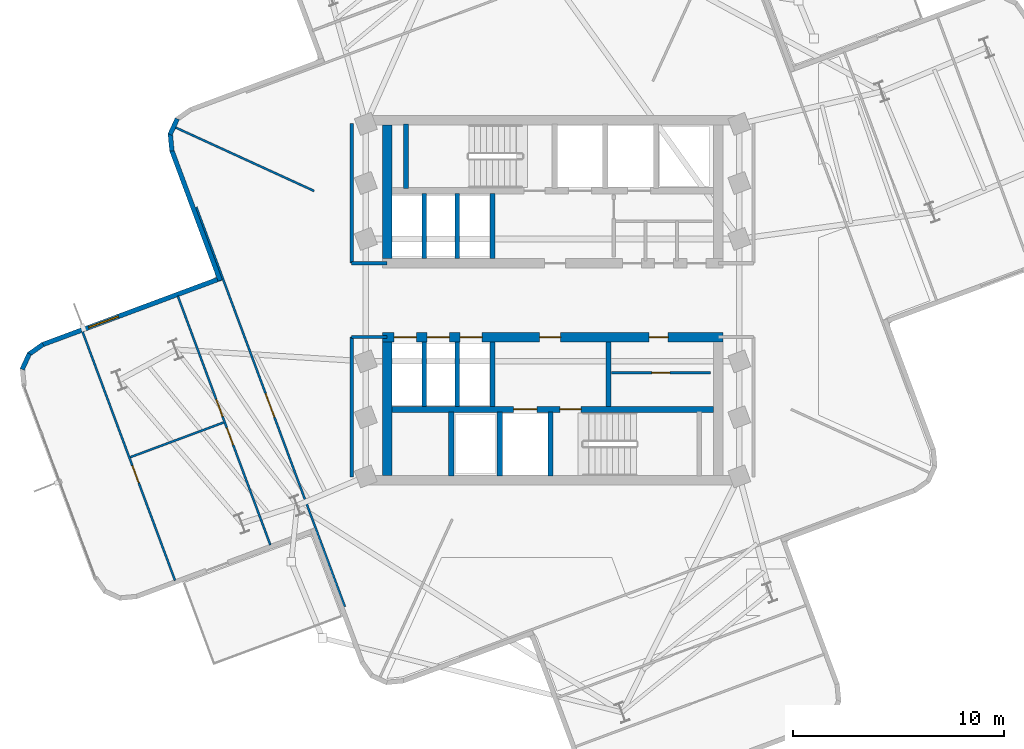
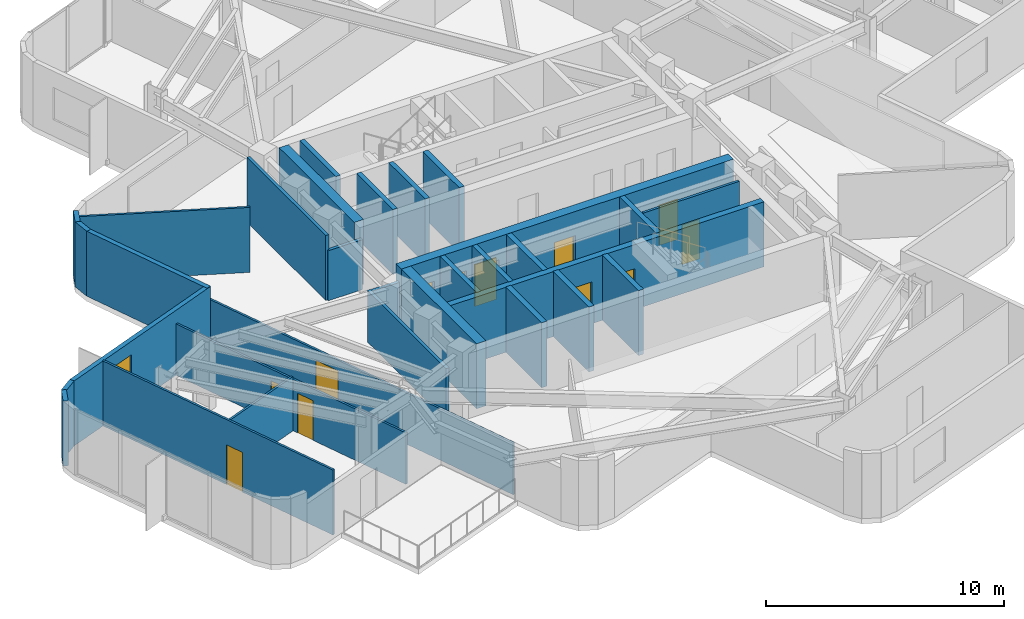
# One storey, part 6 of 11: 31 walls, 12 doors, 1 window, 13 openings.
"""IFC4 building model written with IfcOpenShell, lengths in metres."""

from ifc_helpers import new_model, si_unit, direction, frame, frame_2d, origin, place, context, subcontext, project, spatial, rectangle, extrude, material, layer, layer_set, type_object, element, fill, save


model = new_model("IFC4")

# Units and contexts
model_context = context("Model", 3, precision=1e-05, world=origin(), true_north=direction((0.0, 1.0)))
body_context = subcontext(model_context, "Body", "Model", "MODEL_VIEW")
ifc_project = project(units=[si_unit("LENGTHUNIT", "METRE"), si_unit("AREAUNIT", "SQUARE_METRE"), si_unit("VOLUMEUNIT", "CUBIC_METRE"), si_unit("PLANEANGLEUNIT", "RADIAN"), si_unit("MASSUNIT", "GRAM", prefix="KILO")], contexts=[model_context])

# Site, building, storey
site_placement = place(None, origin())
site = spatial("IfcSite", under=ifc_project, at=site_placement, CompositionType="ELEMENT")
building_placement = place(site_placement, origin())
building = spatial("IfcBuilding", under=site, at=building_placement, Name="Solmarez Civic Tower", CompositionType="ELEMENT")
storey_placement = place(building_placement, frame((0.0, 0.0, 170.280029296875)))
storey = spatial("IfcBuildingStorey", under=building, at=storey_placement, Name="L45", CompositionType="ELEMENT", Elevation=170.280029296875)

# Wall
ifc_material_1 = material(Name="Concrete C50/60", Category="concrete")
ifc_layer_1 = layer(ifc_material_1, 0.449951171875)
ifc_layer_set_1 = layer_set([ifc_layer_1], Name="Concrete C50/60")
wall_type_1 = type_object("IfcWallType", Name="WALL-CORE-450", PredefinedType="SHEAR", material=ifc_layer_set_1)
wall_1_placement = place(storey_placement, frame((-7.844970703125, 1.97509765625, 0.0), z_axis=(0.0, 0.0, 1.0), x_axis=(0.0, 1.0, 0.0)))
element("IfcWall", 1, at=wall_1_placement, inside=storey, type_object=wall_type_1, Name="L45 Split-Core Structural Wall NCW-W-L45", PredefinedType="SHEAR", context=body_context, shape_type="SweptSolid", body=[
    extrude(rectangle(XDim=6.3349609375, YDim=0.449951171875, at=frame_2d((3.16748046875, 0.0))), origin(), (0.0, 0.0, 1.0), 3.340087890625),
])

# Wall, openings, doors
wall_2_placement = place(storey_placement, frame((-8.070068359375, -1.75, 0.0), z_axis=(0.0, 0.0, 1.0), x_axis=(1.0, 0.0, 0.0)))
wall_2 = element("IfcWall", 2, at=wall_2_placement, inside=storey, type_object=wall_type_1, Name="L45 Split-Core Structural Wall SCW-N-L45", PredefinedType="SHEAR", context=body_context, shape_type="SweptSolid", body=[
    extrude(rectangle(XDim=16.14013671875, YDim=0.449951171875, at=frame_2d((8.070068359375, 0.0))), origin(), (0.0, 0.0, 1.0), 3.340087890625),
])
opening_1_placement = place(wall_2_placement, frame((7.449951171875, 0.0, 0.0)))
opening_1 = element("IfcOpeningElement", 3, at=opening_1_placement, cuts=wall_2, Name="Opening D-04", PredefinedType="OPENING", context=body_context, shape_type="SweptSolid", body=[
    extrude(rectangle(XDim=1.0, YDim=2.10009765625, at=frame_2d((0.5, 1.050048828125))), frame((0.0, 0.23486328125, 0.0), z_axis=(0.0, -1.0, 0.0), x_axis=(1.0, 0.0, 0.0)), (0.0, 0.0, 1.0), 0.469970703125),
])
opening_2_placement = place(wall_2_placement, frame((12.64990234375, 0.0, 0.0)))
opening_2 = element("IfcOpeningElement", 4, at=opening_2_placement, cuts=wall_2, Name="Opening D-09", PredefinedType="OPENING", context=body_context, shape_type="SweptSolid", body=[
    extrude(rectangle(XDim=0.89990234375, YDim=2.06005859375, at=frame_2d((0.449951171875, 1.030029296875))), frame((0.0, 0.23486328125, 0.0), z_axis=(0.0, -1.0, 0.0), x_axis=(1.0, 0.0, 0.0)), (0.0, 0.0, 1.0), 0.469970703125),
])
opening_3_placement = place(wall_2_placement, frame((0.56494140625, 0.0, 0.0)))
opening_3 = element("IfcOpeningElement", 5, at=opening_3_placement, cuts=wall_2, Name="Opening LD-01", PredefinedType="OPENING", context=body_context, shape_type="SweptSolid", body=[
    extrude(rectangle(XDim=1.050048828125, YDim=2.14990234375, at=frame_2d((0.52490234375, 1.074951171875))), frame((0.0, 0.23486328125, 0.0), z_axis=(0.0, -1.0, 0.0), x_axis=(1.0, 0.0, 0.0)), (0.0, 0.0, 1.0), 0.469970703125),
])
opening_4_placement = place(wall_2_placement, frame((2.125, 0.0, 0.0)))
opening_4 = element("IfcOpeningElement", 6, at=opening_4_placement, cuts=wall_2, Name="Opening LD-01", PredefinedType="OPENING", context=body_context, shape_type="SweptSolid", body=[
    extrude(rectangle(XDim=1.050048828125, YDim=2.14990234375, at=frame_2d((0.52490234375, 1.074951171875))), frame((0.0, 0.23486328125, 0.0), z_axis=(0.0, -1.0, 0.0), x_axis=(1.0, 0.0, 0.0)), (0.0, 0.0, 1.0), 0.469970703125),
])
opening_5_placement = place(wall_2_placement, frame((3.68505859375, 0.0, 0.0)))
opening_5 = element("IfcOpeningElement", 7, at=opening_5_placement, cuts=wall_2, Name="Opening LD-01", PredefinedType="OPENING", context=body_context, shape_type="SweptSolid", body=[
    extrude(rectangle(XDim=1.050048828125, YDim=2.14990234375, at=frame_2d((0.52490234375, 1.074951171875))), frame((0.0, 0.23486328125, 0.0), z_axis=(0.0, -1.0, 0.0), x_axis=(1.0, 0.0, 0.0)), (0.0, 0.0, 1.0), 0.469970703125),
])
ifc_material_2 = material(Name="Steel-Faced Acoustic Fire Door", Category="steel")
door_type_1 = type_object("IfcDoorType", Name="DOOR-FD60-1000", OperationType="NOTDEFINED", PredefinedType="DOOR", material=ifc_material_2)
door_1_placement = place(opening_1_placement, origin())
door_1 = element("IfcDoor", 8, at=door_1_placement, inside=storey, type_object=door_type_1, Name="L45 South Firefighting Lobby Door", OperationType="SINGLE_SWING_LEFT", OverallHeight=2.10009765625, OverallWidth=1.0, PredefinedType="DOOR", context=body_context, shape_type="SweptSolid", body=[
    extrude(rectangle(XDim=1.0, YDim=2.10009765625, at=frame_2d((0.5, 1.050048828125))), frame((0.0, 0.02490234375, 0.0), z_axis=(0.0, -1.0, 0.0), x_axis=(1.0, 0.0, 0.0)), (0.0, 0.0, 1.0), 0.050048828125),
])
fill(opening_1, door_1)
ifc_material_3 = material(Name="Fire-Rated Service Core Door", Category="wood")
door_type_2 = type_object("IfcDoorType", Name="DOOR-FD60-900", OperationType="NOTDEFINED", PredefinedType="DOOR", material=ifc_material_3)
door_2_placement = place(opening_2_placement, origin())
door_2 = element("IfcDoor", 9, at=door_2_placement, inside=storey, type_object=door_type_2, Name="L45 Freed Hoistway Mailroom Door", OperationType="SINGLE_SWING_LEFT", OverallHeight=2.06005859375, OverallWidth=0.89990234375, PredefinedType="DOOR", context=body_context, shape_type="SweptSolid", body=[
    extrude(rectangle(XDim=0.89990234375, YDim=2.06005859375, at=frame_2d((0.449951171875, 1.030029296875))), frame((0.0, 0.02490234375, 0.0), z_axis=(0.0, -1.0, 0.0), x_axis=(1.0, 0.0, 0.0)), (0.0, 0.0, 1.0), 0.050048828125),
])
fill(opening_2, door_2)
ifc_material_4 = material(Name="Bronze Passenger Lift Landing Sliding Door", Category="aluminium")
door_type_3 = type_object("IfcDoorType", Name="DOOR-LD-PAX-1050", OperationType="DOUBLE_DOOR_SLIDING", PredefinedType="DOOR", material=ifc_material_4)
door_3_placement = place(opening_3_placement, origin())
door_3 = element("IfcDoor", 10, at=door_3_placement, inside=storey, type_object=door_type_3, Name="L45 Mid-Rise Lift Landing Door PL-M1", OperationType="DOUBLE_DOOR_SLIDING", OverallHeight=2.14990234375, OverallWidth=1.050048828125, PredefinedType="DOOR", context=body_context, shape_type="SweptSolid", body=[
    extrude(rectangle(XDim=1.050048828125, YDim=2.14990234375, at=frame_2d((0.52490234375, 1.074951171875))), frame((0.0, 0.02490234375, 0.0), z_axis=(0.0, -1.0, 0.0), x_axis=(1.0, 0.0, 0.0)), (0.0, 0.0, 1.0), 0.050048828125),
])
fill(opening_3, door_3)
door_4_placement = place(opening_4_placement, origin())
door_4 = element("IfcDoor", 11, at=door_4_placement, inside=storey, type_object=door_type_3, Name="L45 Mid-Rise Lift Landing Door PL-M2", OperationType="DOUBLE_DOOR_SLIDING", OverallHeight=2.14990234375, OverallWidth=1.050048828125, PredefinedType="DOOR", context=body_context, shape_type="SweptSolid", body=[
    extrude(rectangle(XDim=1.050048828125, YDim=2.14990234375, at=frame_2d((0.52490234375, 1.074951171875))), frame((0.0, 0.02490234375, 0.0), z_axis=(0.0, -1.0, 0.0), x_axis=(1.0, 0.0, 0.0)), (0.0, 0.0, 1.0), 0.050048828125),
])
fill(opening_4, door_4)
door_5_placement = place(opening_5_placement, origin())
door_5 = element("IfcDoor", 12, at=door_5_placement, inside=storey, type_object=door_type_3, Name="L45 Mid-Rise Lift Landing Door PL-M3", OperationType="DOUBLE_DOOR_SLIDING", OverallHeight=2.14990234375, OverallWidth=1.050048828125, PredefinedType="DOOR", context=body_context, shape_type="SweptSolid", body=[
    extrude(rectangle(XDim=1.050048828125, YDim=2.14990234375, at=frame_2d((0.52490234375, 1.074951171875))), frame((0.0, 0.02490234375, 0.0), z_axis=(0.0, -1.0, 0.0), x_axis=(1.0, 0.0, 0.0)), (0.0, 0.0, 1.0), 0.050048828125),
])
fill(opening_5, door_5)

# Walls
wall_3_placement = place(storey_placement, frame((-7.844970703125, -8.31005859375, 0.0), z_axis=(0.0, 0.0, 1.0), x_axis=(0.0, 1.0, 0.0)))
element("IfcWall", 13, at=wall_3_placement, inside=storey, type_object=wall_type_1, Name="L45 Split-Core Structural Wall SCW-W-L45", PredefinedType="SHEAR", context=body_context, shape_type="SweptSolid", body=[
    extrude(rectangle(XDim=6.3349609375, YDim=0.449951171875, at=frame_2d((3.16748046875, 0.0))), origin(), (0.0, 0.0, 1.0), 3.340087890625),
])
ifc_material_5 = material(Name="Precast concrete C40/50", Category="concrete")
ifc_layer_2 = layer(ifc_material_5, 0.219970703125)
ifc_layer_set_2 = layer_set([ifc_layer_2], Name="Precast concrete C40/50")
wall_type_2 = type_object("IfcWallType", Name="WALL-EXT-220", PredefinedType="SOLIDWALL", material=ifc_layer_set_2)
wall_4_placement = place(storey_placement, frame((-25.136962890625, -3.282958984375, 0.0), z_axis=(0.0, 0.0, 1.0), x_axis=(0.415865283719, 0.909426228892, 0.0)))
element("IfcWall", 14, at=wall_4_placement, inside=storey, type_object=wall_type_2, Name="L45 Exterior Precast Wall 8", PredefinedType="SOLIDWALL", context=body_context, shape_type="SweptSolid", body=[
    extrude(rectangle(XDim=0.820068359375, YDim=0.219970703125, at=frame_2d((0.41015625, 0.0))), origin(), (0.0, 0.0, 1.0), 3.340087890625),
])
wall_5_placement = place(storey_placement, frame((-24.825927734375, -2.573974609375, 0.0), z_axis=(0.0, 0.0, 1.0), x_axis=(0.815453569677, 0.578822490666, 0.0)))
element("IfcWall", 15, at=wall_5_placement, inside=storey, type_object=wall_type_2, Name="L45 Exterior Precast Wall 9", PredefinedType="SOLIDWALL", context=body_context, shape_type="SweptSolid", body=[
    extrude(rectangle(XDim=0.83251953125, YDim=0.219970703125, at=frame_2d((0.416259765625, 0.0))), origin(), (0.0, 0.0, 1.0), 3.340087890625),
])

# Wall, opening, window
wall_6_placement = place(storey_placement, frame((-24.18994140625, -2.114990234375, 0.0), z_axis=(0.0, 0.0, 1.0), x_axis=(0.937261793021, 0.34862634918, 0.0)))
wall_6 = element("IfcWall", 16, at=wall_6_placement, inside=storey, type_object=wall_type_2, Name="L45 Exterior Precast Wall 10", PredefinedType="SOLIDWALL", context=body_context, shape_type="SweptSolid", body=[
    extrude(rectangle(XDim=9.058349609375, YDim=0.219970703125, at=frame_2d((4.529296875, 0.0))), origin(), (0.0, 0.0, 1.0), 3.340087890625),
])
opening_6_placement = place(wall_6_placement, frame((2.35009765625, 0.0, 0.85009765625)))
opening_6 = element("IfcOpeningElement", 17, at=opening_6_placement, cuts=wall_6, Name="Opening W-13", PredefinedType="OPENING", context=body_context, shape_type="SweptSolid", body=[
    extrude(rectangle(XDim=1.5, YDim=1.800048828125, at=frame_2d((0.75, 0.89990234375))), frame((0.0, 0.119873046875, 0.0), z_axis=(0.0, -1.0, 0.0), x_axis=(1.0, 0.0, 0.0)), (0.0, 0.0, 1.0), 0.239990234375),
])
ifc_material_6 = material(Name="Solar Control Bronze-Tinted Insulating Glass", Category="glass")
window_type = type_object("IfcWindowType", Name="WIN-1500X1800", PartitioningType="SINGLE_PANEL", PredefinedType="WINDOW", material=ifc_material_6)
window_placement = place(opening_6_placement, origin())
window = element("IfcWindow", 18, at=window_placement, inside=storey, type_object=window_type, Name="L45 Exterior Facade Window 10", OverallHeight=1.800048828125, OverallWidth=1.5, PartitioningType="SINGLE_PANEL", PredefinedType="WINDOW", context=body_context, shape_type="SweptSolid", body=[
    extrude(rectangle(XDim=1.5, YDim=1.800048828125, at=frame_2d((0.75, 0.89990234375))), frame((0.0, 0.030029296875, 0.0), z_axis=(0.0, -1.0, 0.0), x_axis=(1.0, 0.0, 0.0)), (0.0, 0.0, 1.0), 0.06005859375),
])
fill(opening_6, window)

# Walls
wall_7_placement = place(storey_placement, frame((-15.7509765625, 0.929931640625, 0.0), z_axis=(0.0, 0.0, 1.0), x_axis=(-0.348729932868, 0.937223257246, 0.0)))
element("IfcWall", 19, at=wall_7_placement, inside=storey, type_object=wall_type_2, Name="L45 Exterior Precast Wall 13", PredefinedType="SOLIDWALL", context=body_context, shape_type="SweptSolid", body=[
    extrude(rectangle(XDim=6.598388671875, YDim=0.219970703125, at=frame_2d((3.29931640625, 0.0))), origin(), (0.0, 0.0, 1.0), 3.340087890625),
])
wall_8_placement = place(storey_placement, frame((-18.041015625, 7.06591796875, 0.0), z_axis=(0.0, 0.0, 1.0), x_axis=(-0.09330446586, 0.995637623159, 0.0)))
element("IfcWall", 20, at=wall_8_placement, inside=storey, type_object=wall_type_2, Name="L45 Exterior Precast Wall 14", PredefinedType="SOLIDWALL", context=body_context, shape_type="SweptSolid", body=[
    extrude(rectangle(XDim=0.834716796875, YDim=0.219970703125, at=frame_2d((0.41748046875, 0.0))), origin(), (0.0, 0.0, 1.0), 3.340087890625),
])
wall_9_placement = place(storey_placement, frame((-18.126953125, 7.84912109375, 0.0), z_axis=(0.0, 0.0, 1.0), x_axis=(0.415083126143, 0.909783489843, 0.0)))
element("IfcWall", 21, at=wall_9_placement, inside=storey, type_object=wall_type_2, Name="L45 Exterior Precast Wall 15", PredefinedType="SOLIDWALL", context=body_context, shape_type="SweptSolid", body=[
    extrude(rectangle(XDim=0.81884765625, YDim=0.219970703125, at=frame_2d((0.409423828125, 0.0))), origin(), (0.0, 0.0, 1.0), 3.340087890625),
])
ifc_material_7 = material(Name="Gypsum Board Acoustic Steel-Stud Partition", Category="steel")
ifc_layer_3 = layer(ifc_material_7, 0.14990234375)
ifc_layer_set_3 = layer_set([ifc_layer_3], Name="Gypsum Board Acoustic Steel-Stud Partition")
wall_type_3 = type_object("IfcWallType", Name="WALL-INT-FIRE-150", PredefinedType="PARTITIONING", material=ifc_layer_set_3)
wall_10_placement = place(storey_placement, frame((-9.52001953125, 1.75, 0.0), z_axis=(0.0, 0.0, 1.0), x_axis=(0.0, 1.0, 0.0)))
element("IfcWall", 22, at=wall_10_placement, inside=storey, type_object=wall_type_3, Name="L45 Interior Partition CHW-L45-WN1", PredefinedType="PARTITIONING", context=body_context, shape_type="SweptSolid", body=[
    extrude(rectangle(XDim=6.6298828125, YDim=0.14990234375, at=frame_2d((3.31494140625, 0.0))), origin(), (0.0, 0.0, 1.0), 3.340087890625),
])
wall_11_placement = place(storey_placement, frame((-7.85009765625, 1.75, 0.0), z_axis=(0.0, 0.0, 1.0), x_axis=(-1.0, 0.0, 0.0)))
element("IfcWall", 23, at=wall_11_placement, inside=storey, type_object=wall_type_3, Name="L45 Interior Partition CHW-L45-WN3", PredefinedType="PARTITIONING", context=body_context, shape_type="SweptSolid", body=[
    extrude(rectangle(XDim=1.669921875, YDim=0.14990234375, at=frame_2d((0.8349609375, 0.0))), origin(), (0.0, 0.0, 1.0), 2.570068359375),
])
wall_12_placement = place(storey_placement, frame((-9.52001953125, -8.3798828125, 0.0), z_axis=(0.0, 0.0, 1.0), x_axis=(0.0, 1.0, 0.0)))
element("IfcWall", 24, at=wall_12_placement, inside=storey, type_object=wall_type_3, Name="L45 Interior Partition CHW-L45-WS1", PredefinedType="PARTITIONING", context=body_context, shape_type="SweptSolid", body=[
    extrude(rectangle(XDim=6.6298828125, YDim=0.14990234375, at=frame_2d((3.31494140625, 0.0))), origin(), (0.0, 0.0, 1.0), 2.64404296875),
])
wall_13_placement = place(storey_placement, frame((-7.85009765625, -1.75, 0.0), z_axis=(0.0, 0.0, 1.0), x_axis=(-1.0, 0.0, 0.0)))
element("IfcWall", 25, at=wall_13_placement, inside=storey, type_object=wall_type_3, Name="L45 Interior Partition CHW-L45-WS3", PredefinedType="PARTITIONING", context=body_context, shape_type="SweptSolid", body=[
    extrude(rectangle(XDim=1.669921875, YDim=0.14990234375, at=frame_2d((0.8349609375, 0.0))), origin(), (0.0, 0.0, 1.0), 2.570068359375),
])
ifc_layer_4 = layer(ifc_material_7, 0.10009765625)
ifc_layer_set_4 = layer_set([ifc_layer_4], Name="Gypsum Board Acoustic Steel-Stud Partition")
wall_type_4 = type_object("IfcWallType", Name="WALL-INT-PART-100", PredefinedType="PARTITIONING", material=ifc_layer_set_4)
wall_14_placement = place(storey_placement, frame((-11.300048828125, 5.174072265625, 0.0), z_axis=(0.0, 0.0, 1.0), x_axis=(-0.909275268701, 0.416195249528, 0.0)))
element("IfcWall", 26, at=wall_14_placement, inside=storey, type_object=wall_type_4, Name="L45 Interior Partition PT-L45-QDIV-2", PredefinedType="PARTITIONING", context=body_context, shape_type="SweptSolid", body=[
    extrude(rectangle(XDim=7.246337890625, YDim=0.10009765625, at=frame_2d((3.623046875, 0.0))), origin(), (0.0, 0.0, 1.0), 3.340087890625),
])

# Wall, opening, door
wall_15_placement = place(storey_placement, frame((-9.845947265625, -14.52197265625, 0.0), z_axis=(0.0, 0.0, 1.0), x_axis=(-0.348543090668, 0.937292757866, 0.0)))
wall_15 = element("IfcWall", 27, at=wall_15_placement, inside=storey, type_object=wall_type_4, Name="L45 Interior Partition PT-L45-W-ENT", PredefinedType="PARTITIONING", context=body_context, shape_type="SweptSolid", body=[
    extrude(rectangle(XDim=20.198486328125, YDim=0.10009765625, at=frame_2d((10.09912109375, 0.0))), origin(), (0.0, 0.0, 1.0), 2.64404296875),
])
opening_7_placement = place(wall_15_placement, frame((9.5791015625, 0.0, 0.0)))
opening_7 = element("IfcOpeningElement", 28, at=opening_7_placement, cuts=wall_15, Name="Opening D-11", PredefinedType="OPENING", context=body_context, shape_type="SweptSolid", body=[
    extrude(rectangle(XDim=1.199951171875, YDim=2.10009765625, at=frame_2d((0.60009765625, 1.050048828125))), frame((0.0, 0.06005859375, 0.0), z_axis=(0.0, -1.0, 0.0), x_axis=(1.0, 0.0, 0.0)), (0.0, 0.0, 1.0), 0.1201171875),
])
ifc_material_8 = material(Name="Glazed-Vision Acoustic Chamber Door", Category="wood")
door_type_4 = type_object("IfcDoorType", Name="DOOR-INT-1200", OperationType="NOTDEFINED", PredefinedType="DOOR", material=ifc_material_8)
door_6_placement = place(opening_7_placement, origin())
door_6 = element("IfcDoor", 29, at=door_6_placement, inside=storey, type_object=door_type_4, Name="L45 Municipal Mailroom First West Door", OperationType="SINGLE_SWING_LEFT", OverallHeight=2.10009765625, OverallWidth=1.199951171875, PredefinedType="DOOR", context=body_context, shape_type="SweptSolid", body=[
    extrude(rectangle(XDim=1.199951171875, YDim=2.10009765625, at=frame_2d((0.60009765625, 1.050048828125))), frame((0.0, 0.02490234375, 0.0), z_axis=(0.0, -1.0, 0.0), x_axis=(1.0, 0.0, 0.0)), (0.0, 0.0, 1.0), 0.050048828125),
])
fill(opening_7, door_6)

# Wall
wall_16_placement = place(storey_placement, frame((-15.595947265625, -5.800048828125, 0.0), z_axis=(0.0, 0.0, 1.0), x_axis=(-0.937258557626, -0.348635047229, 0.0)))
element("IfcWall", 30, at=wall_16_placement, inside=storey, type_object=wall_type_4, Name="L45 Interior Partition PT-L45-W-MM", PredefinedType="PARTITIONING", context=body_context, shape_type="SweptSolid", body=[
    extrude(rectangle(XDim=4.700927734375, YDim=0.10009765625, at=frame_2d((2.3505859375, 0.0))), origin(), (0.0, 0.0, 1.0), 2.79296875),
])

# Wall, openings, doors
wall_17_placement = place(storey_placement, frame((-17.761962890625, 0.196044921875, 0.0), z_axis=(0.0, 0.0, 1.0), x_axis=(0.348514653153, -0.937303332192, 0.0)))
wall_17 = element("IfcWall", 31, at=wall_17_placement, inside=storey, type_object=wall_type_4, Name="L45 Interior Partition PT-L45-W-S1", PredefinedType="PARTITIONING", context=body_context, shape_type="SweptSolid", body=[
    extrude(rectangle(XDim=12.59033203125, YDim=0.10009765625, at=frame_2d((6.295166015625, 0.0))), origin(), (0.0, 0.0, 1.0), 2.64404296875),
])
opening_8_placement = place(wall_17_placement, frame((5.22509765625, 0.0, 0.0)))
opening_8 = element("IfcOpeningElement", 32, at=opening_8_placement, cuts=wall_17, Name="Opening D-14", PredefinedType="OPENING", context=body_context, shape_type="SweptSolid", body=[
    extrude(rectangle(XDim=0.860107421875, YDim=2.0400390625, at=frame_2d((0.43017578125, 1.02001953125))), frame((0.0, 0.06005859375, 0.0), z_axis=(0.0, -1.0, 0.0), x_axis=(1.0, 0.0, 0.0)), (0.0, 0.0, 1.0), 0.1201171875),
])
opening_9_placement = place(wall_17_placement, frame((6.6650390625, 0.0, 0.0)))
opening_9 = element("IfcOpeningElement", 33, at=opening_9_placement, cuts=wall_17, Name="Opening D-14", PredefinedType="OPENING", context=body_context, shape_type="SweptSolid", body=[
    extrude(rectangle(XDim=0.860107421875, YDim=2.0400390625, at=frame_2d((0.43017578125, 1.02001953125))), frame((0.0, 0.06005859375, 0.0), z_axis=(0.0, -1.0, 0.0), x_axis=(1.0, 0.0, 0.0)), (0.0, 0.0, 1.0), 0.1201171875),
])
ifc_material_9 = material(Name="Timber Storage and Pantry Door", Category="wood")
door_type_5 = type_object("IfcDoorType", Name="DOOR-INT-850", OperationType="NOTDEFINED", PredefinedType="DOOR", material=ifc_material_9)
door_7_placement = place(opening_8_placement, origin())
door_7 = element("IfcDoor", 34, at=door_7_placement, inside=storey, type_object=door_type_5, Name="L45 Co-Working Policy Workspace Third West Door", OperationType="SINGLE_SWING_RIGHT", OverallHeight=2.0400390625, OverallWidth=0.860107421875, PredefinedType="DOOR", context=body_context, shape_type="SweptSolid", body=[
    extrude(rectangle(XDim=0.860107421875, YDim=2.0400390625, at=frame_2d((0.43017578125, 1.02001953125))), frame((0.0, 0.02490234375, 0.0), z_axis=(0.0, -1.0, 0.0), x_axis=(1.0, 0.0, 0.0)), (0.0, 0.0, 1.0), 0.050048828125),
])
fill(opening_8, door_7)
door_8_placement = place(opening_9_placement, origin())
door_8 = element("IfcDoor", 35, at=door_8_placement, inside=storey, type_object=door_type_5, Name="L45 Staff Tea Pantry Second West Door", OperationType="SINGLE_SWING_LEFT", OverallHeight=2.0400390625, OverallWidth=0.860107421875, PredefinedType="DOOR", context=body_context, shape_type="SweptSolid", body=[
    extrude(rectangle(XDim=0.860107421875, YDim=2.0400390625, at=frame_2d((0.43017578125, 1.02001953125))), frame((0.0, 0.02490234375, 0.0), z_axis=(0.0, -1.0, 0.0), x_axis=(1.0, 0.0, 0.0)), (0.0, 0.0, 1.0), 0.050048828125),
])
fill(opening_9, door_8)

# Wall, opening, door
wall_18_placement = place(storey_placement, frame((-17.89208984375, -13.284912109375, 0.0), z_axis=(0.0, 0.0, 1.0), x_axis=(-0.348514653153, 0.937303332192, 0.0)))
wall_18 = element("IfcWall", 36, at=wall_18_placement, inside=storey, type_object=wall_type_4, Name="L45 Interior Partition PT-L45-W-S2", PredefinedType="PARTITIONING", context=body_context, shape_type="SweptSolid", body=[
    extrude(rectangle(XDim=12.59033203125, YDim=0.10009765625, at=frame_2d((6.295166015625, 0.0))), origin(), (0.0, 0.0, 1.0), 3.340087890625),
])
opening_10_placement = place(wall_18_placement, frame((4.93994140625, 0.0, 0.0)))
opening_10 = element("IfcOpeningElement", 37, at=opening_10_placement, cuts=wall_18, Name="Opening D-14", PredefinedType="OPENING", context=body_context, shape_type="SweptSolid", body=[
    extrude(rectangle(XDim=0.860107421875, YDim=2.0400390625, at=frame_2d((0.43017578125, 1.02001953125))), frame((0.0, 0.06005859375, 0.0), z_axis=(0.0, -1.0, 0.0), x_axis=(1.0, 0.0, 0.0)), (0.0, 0.0, 1.0), 0.1201171875),
])
door_9_placement = place(opening_10_placement, origin())
door_9 = element("IfcDoor", 38, at=door_9_placement, inside=storey, type_object=door_type_5, Name="L45 Breakout Huddle Room Fourth West Door", OperationType="SINGLE_SWING_LEFT", OverallHeight=2.0400390625, OverallWidth=0.860107421875, PredefinedType="DOOR", context=body_context, shape_type="SweptSolid", body=[
    extrude(rectangle(XDim=0.860107421875, YDim=2.0400390625, at=frame_2d((0.43017578125, 1.02001953125))), frame((0.0, 0.02490234375, 0.0), z_axis=(0.0, -1.0, 0.0), x_axis=(1.0, 0.0, 0.0)), (0.0, 0.0, 1.0), 0.050048828125),
])
fill(opening_10, door_9)

ifc_layer_5 = layer(ifc_material_7, 0.1201171875)
ifc_layer_set_5 = layer_set([ifc_layer_5], Name="Gypsum Board Acoustic Steel-Stud Partition")
wall_type_5 = type_object("IfcWallType", Name="WALL-INT-PART-120", PredefinedType="PARTITIONING", material=ifc_layer_set_5)
wall_19_placement = place(storey_placement, frame((2.800048828125, -3.449951171875, 0.0), z_axis=(0.0, 0.0, 1.0), x_axis=(1.0, 0.0, 0.0)))
wall_19 = element("IfcWall", 39, at=wall_19_placement, inside=storey, type_object=wall_type_5, Name="L45 Interior Partition PT-FPLL-L45", PredefinedType="PARTITIONING", context=body_context, shape_type="SweptSolid", body=[
    extrude(rectangle(XDim=4.679931640625, YDim=0.1201171875, at=frame_2d((2.33984375, 0.0))), origin(), (0.0, 0.0, 1.0), 3.340087890625),
])
opening_11_placement = place(wall_19_placement, frame((1.89990234375, 0.0, 0.0)))
opening_11 = element("IfcOpeningElement", 40, at=opening_11_placement, cuts=wall_19, Name="Opening D-14", PredefinedType="OPENING", context=body_context, shape_type="SweptSolid", body=[
    extrude(rectangle(XDim=0.860107421875, YDim=2.0400390625, at=frame_2d((0.43017578125, 1.02001953125))), frame((0.0, 0.070068359375, 0.0), z_axis=(0.0, -1.0, 0.0), x_axis=(1.0, 0.0, 0.0)), (0.0, 0.0, 1.0), 0.14013671875),
])
door_10_placement = place(opening_11_placement, origin())
door_10 = element("IfcDoor", 41, at=door_10_placement, inside=storey, type_object=door_type_5, Name="L45 Records Filing Room Door", OperationType="SINGLE_SWING_LEFT", OverallHeight=2.0400390625, OverallWidth=0.860107421875, PredefinedType="DOOR", context=body_context, shape_type="SweptSolid", body=[
    extrude(rectangle(XDim=0.860107421875, YDim=2.0400390625, at=frame_2d((0.43017578125, 1.02001953125))), frame((0.0, 0.02490234375, 0.0), z_axis=(0.0, -1.0, 0.0), x_axis=(1.0, 0.0, 0.0)), (0.0, 0.0, 1.0), 0.050048828125),
])
fill(opening_11, door_10)

# Wall, openings, doors
ifc_layer_6 = layer(ifc_material_1, 0.300048828125)
ifc_layer_set_6 = layer_set([ifc_layer_6], Name="Concrete C50/60")
wall_type_6 = type_object("IfcWallType", Name="WALL-STR-300", PredefinedType="SOLIDWALL", material=ifc_layer_set_6)
wall_20_placement = place(storey_placement, frame((-7.6201171875, -5.179931640625, 0.0), z_axis=(0.0, 0.0, 1.0), x_axis=(1.0, 0.0, 0.0)))
wall_20 = element("IfcWall", 42, at=wall_20_placement, inside=storey, type_object=wall_type_6, Name="L45 Split-Core Structural Wall SCW-M-L45", PredefinedType="SOLIDWALL", context=body_context, shape_type="SweptSolid", body=[
    extrude(rectangle(XDim=15.240234375, YDim=0.300048828125, at=frame_2d((7.6201171875, 0.0))), origin(), (0.0, 0.0, 1.0), 3.340087890625),
])
opening_12_placement = place(wall_20_placement, frame((5.77001953125, 0.0, 0.0)))
opening_12 = element("IfcOpeningElement", 43, at=opening_12_placement, cuts=wall_20, Name="Opening LD-02", PredefinedType="OPENING", context=body_context, shape_type="SweptSolid", body=[
    extrude(rectangle(XDim=1.10009765625, YDim=2.14990234375, at=frame_2d((0.550048828125, 1.074951171875))), frame((0.0, 0.159912109375, 0.0), z_axis=(0.0, -1.0, 0.0), x_axis=(1.0, 0.0, 0.0)), (0.0, 0.0, 1.0), 0.320068359375),
])
opening_13_placement = place(wall_20_placement, frame((7.969970703125, 0.0, 0.0)))
opening_13 = element("IfcOpeningElement", 44, at=opening_13_placement, cuts=wall_20, Name="Opening D-05", PredefinedType="OPENING", context=body_context, shape_type="SweptSolid", body=[
    extrude(rectangle(XDim=1.0, YDim=2.10009765625, at=frame_2d((0.5, 1.050048828125))), frame((0.0, 0.159912109375, 0.0), z_axis=(0.0, -1.0, 0.0), x_axis=(1.0, 0.0, 0.0)), (0.0, 0.0, 1.0), 0.320068359375),
])
ifc_material_10 = material(Name="Fire-Rated Stairwell Exit Door", Category="wood")
door_type_6 = type_object("IfcDoorType", Name="DOOR-FD90-1000", OperationType="NOTDEFINED", PredefinedType="DOOR", material=ifc_material_10)
door_11_placement = place(opening_13_placement, origin())
door_11 = element("IfcDoor", 45, at=door_11_placement, inside=storey, type_object=door_type_6, Name="L45 South Exit Stair Door ST-2", OperationType="SINGLE_SWING_LEFT", OverallHeight=2.10009765625, OverallWidth=1.0, PredefinedType="DOOR", context=body_context, shape_type="SweptSolid", body=[
    extrude(rectangle(XDim=1.0, YDim=2.10009765625, at=frame_2d((0.5, 1.050048828125))), frame((0.0, 0.02490234375, 0.0), z_axis=(0.0, -1.0, 0.0), x_axis=(1.0, 0.0, 0.0)), (0.0, 0.0, 1.0), 0.050048828125),
])
fill(opening_13, door_11)
ifc_material_11 = material(Name="Stainless Firefighting Lift Landing Sliding Door", Category="aluminium")
door_type_7 = type_object("IfcDoorType", Name="DOOR-LD-FF-1100", OperationType="DOUBLE_DOOR_SLIDING", PredefinedType="DOOR", material=ifc_material_11)
door_12_placement = place(opening_12_placement, origin())
door_12 = element("IfcDoor", 46, at=door_12_placement, inside=storey, type_object=door_type_7, Name="L45 Firefighting Lift Landing Door FFL-2", OperationType="DOUBLE_DOOR_SLIDING", OverallHeight=2.14990234375, OverallWidth=1.10009765625, PredefinedType="DOOR", context=body_context, shape_type="SweptSolid", body=[
    extrude(rectangle(XDim=1.10009765625, YDim=2.14990234375, at=frame_2d((0.550048828125, 1.074951171875))), frame((0.0, 0.02490234375, 0.0), z_axis=(0.0, -1.0, 0.0), x_axis=(1.0, 0.0, 0.0)), (0.0, 0.0, 1.0), 0.050048828125),
])
fill(opening_12, door_12)

# Walls
wall_21_placement = place(storey_placement, frame((-6.949951171875, 5.280029296875, 0.0), z_axis=(0.0, 0.0, 1.0), x_axis=(0.0, 1.0, 0.0)))
element("IfcWall", 47, at=wall_21_placement, inside=storey, type_object=wall_type_6, Name="L45 Split-Core Structural Wall SHW-NW-L45", PredefinedType="SOLIDWALL", context=body_context, shape_type="SweptSolid", body=[
    extrude(rectangle(XDim=3.06005859375, YDim=0.219970703125, at=frame_2d((1.530029296875, 0.0))), origin(), (0.0, 0.0, 1.0), 3.340087890625),
])
wall_22_placement = place(storey_placement, frame((-2.85009765625, 1.97998046875, 0.0), z_axis=(0.0, 0.0, 1.0), x_axis=(0.0, 1.0, 0.0)))
element("IfcWall", 48, at=wall_22_placement, inside=storey, type_object=wall_type_6, Name="L45 Split-Core Structural Wall SHW-NL1-L45", PredefinedType="SOLIDWALL", context=body_context, shape_type="SweptSolid", body=[
    extrude(rectangle(XDim=3.070068359375, YDim=0.25, at=frame_2d((1.53515625, 0.0))), origin(), (0.0, 0.0, 1.0), 3.340087890625),
])
for number, where, z_axis, x_axis, name in (
    (49, (-0.10009765625, -8.340087890625, 0.0), (0.0, 0.0, 1.0), (0.0, 1.0, 0.0), "L45 Split-Core Structural Wall SHW-S1-L45"),
    (50, (-2.5, -8.340087890625, 0.0), (0.0, 0.0, 1.0), (0.0, 1.0, 0.0), "L45 Split-Core Structural Wall SHW-S2-L45"),
    (51, (-4.800048828125, -8.340087890625, 0.0), (0.0, 0.0, 1.0), (0.0, 1.0, 0.0), "L45 Split-Core Structural Wall SHW-S3-L45"),
):
    element("IfcWall", number, at=place(storey_placement, frame(where, z_axis=z_axis, x_axis=x_axis)), inside=storey, type_object=wall_type_6, Name=name, PredefinedType="SOLIDWALL", context=body_context, shape_type="SweptSolid", body=[
        extrude(rectangle(XDim=3.0400390625, YDim=0.25, at=frame_2d((1.52001953125, 0.0))), origin(), (0.0, 0.0, 1.0), 3.340087890625),
    ])
for number, where, z_axis, x_axis, name in (
    (52, (-2.85009765625, -5.050048828125, 0.0), (0.0, 0.0, 1.0), (0.0, 1.0, 0.0), "L45 Split-Core Structural Wall SHW-SL1-L45"),
    (53, (2.64990234375, -5.050048828125, 0.0), (0.0, 0.0, 1.0), (0.0, 1.0, 0.0), "L45 Split-Core Structural Wall SHW-SL2-L45"),
):
    element("IfcWall", number, at=place(storey_placement, frame(where, z_axis=z_axis, x_axis=x_axis)), inside=storey, type_object=wall_type_6, Name=name, PredefinedType="SOLIDWALL", context=body_context, shape_type="SweptSolid", body=[
        extrude(rectangle(XDim=3.070068359375, YDim=0.25, at=frame_2d((1.53515625, 0.0))), origin(), (0.0, 0.0, 1.0), 3.340087890625),
    ])
for number, where, z_axis, x_axis, name in (
    (54, (-6.080078125, 1.97998046875, 0.0), (0.0, 0.0, 1.0), (0.0, 1.0, 0.0), "L45 Split-Core Structural Wall SHW-PLH-L45-1"),
    (55, (-4.52001953125, 1.97998046875, 0.0), (0.0, 0.0, 1.0), (0.0, 1.0, 0.0), "L45 Split-Core Structural Wall SHW-PLH-L45-2"),
    (56, (-6.080078125, -5.050048828125, 0.0), (0.0, 0.0, 1.0), (0.0, 1.0, 0.0), "L45 Split-Core Structural Wall SHW-PLM-L45-1"),
    (57, (-4.52001953125, -5.050048828125, 0.0), (0.0, 0.0, 1.0), (0.0, 1.0, 0.0), "L45 Split-Core Structural Wall SHW-PLM-L45-2"),
):
    element("IfcWall", number, at=place(storey_placement, frame(where, z_axis=z_axis, x_axis=x_axis)), inside=storey, type_object=wall_type_6, Name=name, PredefinedType="SOLIDWALL", context=body_context, shape_type="SweptSolid", body=[
        extrude(rectangle(XDim=3.070068359375, YDim=0.219970703125, at=frame_2d((1.53515625, 0.0))), origin(), (0.0, 0.0, 1.0), 3.340087890625),
    ])

save(model, "model.ifc")
